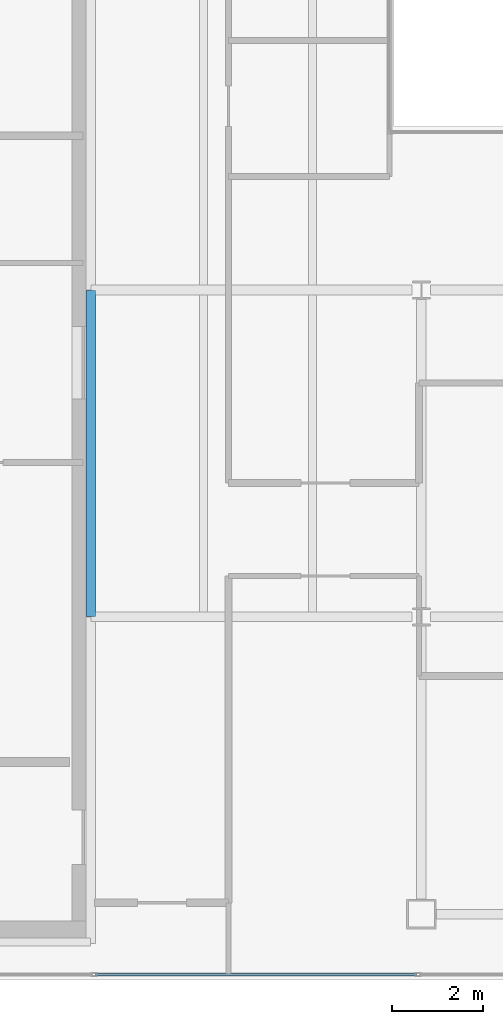
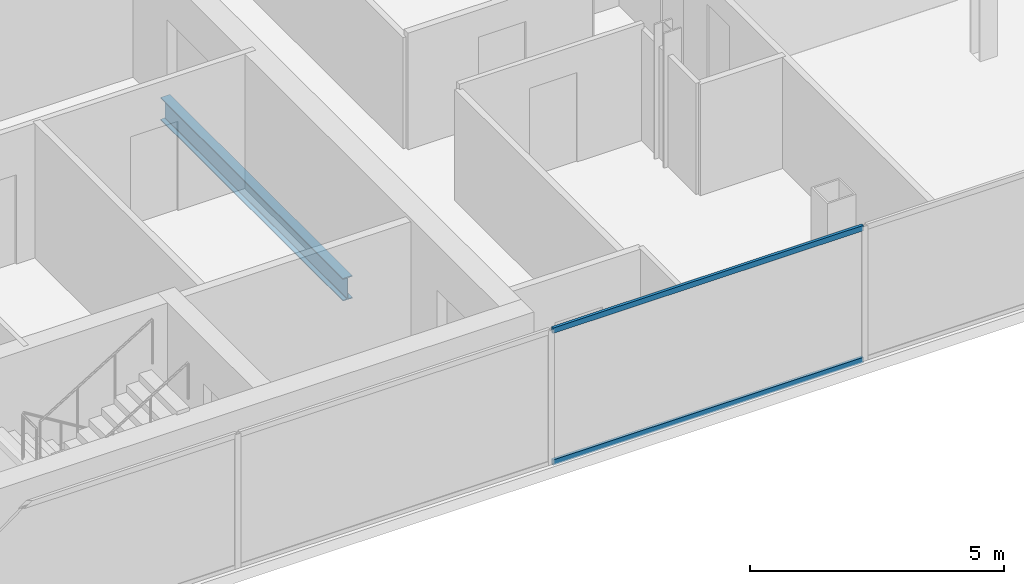
# One storey, part 4 of 23: 2 members, 1 beam, 1 element without a shape of its own.
"""IFC4 building model written with IfcOpenShell, lengths in metres."""

from ifc_helpers import new_model, si_unit, direction, frame, origin, origin_2d, place, context, subcontext, project, spatial, hollow_rectangle, i_section, extrude, material, material_profile, profile_set, type_object, element, aggregate, save


model = new_model("IFC4")

# Units and contexts
model_context = context("Model", 3, precision=1e-05, world=origin(), true_north=direction((0.0, 1.0)))
body_context = subcontext(model_context, "Body", "Model", "MODEL_VIEW")
ifc_project = project(units=[si_unit("LENGTHUNIT", "METRE"), si_unit("AREAUNIT", "SQUARE_METRE"), si_unit("VOLUMEUNIT", "CUBIC_METRE"), si_unit("PLANEANGLEUNIT", "RADIAN"), si_unit("MASSUNIT", "GRAM", prefix="KILO")], contexts=[model_context])

# Site, building, storey
site_placement = place(None, origin())
site = spatial("IfcSite", under=ifc_project, at=site_placement, CompositionType="ELEMENT")
building_placement = place(site_placement, origin())
building = spatial("IfcBuilding", under=site, at=building_placement, Name="Cobrela Telecom Tower", CompositionType="ELEMENT")
storey_placement = place(building_placement, frame((0.0, 0.0, 251.64990234375)))
storey = spatial("IfcBuildingStorey", under=building, at=storey_placement, Name="L65", CompositionType="ELEMENT", Elevation=251.64990234375)

# Beam
ifc_material_1 = material(Name="Steel ASTM A992 Grade 50", Category="steel")
ifc_material_profile_1 = material_profile(ifc_material_1, i_section(OverallWidth=0.212890625, OverallDepth=0.549072265625, WebThickness=0.0146484375, FlangeThickness=0.023681640625, FilletRadius=0.013916015625, at=origin_2d()), Name="W21X93")
ifc_profile_set_1 = profile_set([ifc_material_profile_1], Name="Steel ASTM A992 Grade 50")
beam_type = type_object("IfcBeamType", Name="BM-GIRD-08", PredefinedType="USERDEFINED", material=ifc_profile_set_1)
beam_placement = place(storey_placement, frame((14.320068359375, 14.405029296875, -0.534423828125), z_axis=(0.0, 1.0, 0.0), x_axis=(-1.0, 0.0, 0.0)))
element("IfcBeam", 1, at=beam_placement, inside=storey, type_object=beam_type, Name="L65 Primary Girder Y22", ObjectType="GIRDER", PredefinedType="USERDEFINED", context=body_context, shape_type="SweptSolid", body=[
    extrude(i_section(OverallWidth=0.212890625, OverallDepth=0.549072265625, WebThickness=0.0146484375, FlangeThickness=0.023681640625, FilletRadius=0.013916015625, at=origin_2d()), origin(), (0.0, 0.0, 1.0), 7.18994140625),
])

# Curtain wall, members
ifc_material_2 = material(Name="Anodized Bronze Aluminium 6063-T6", Category="aluminium")
curtain_wall_type = type_object("IfcCurtainWallType", Name="CW-SYS-OFF-HI", PredefinedType="USERDEFINED", material=ifc_material_2)
curtain_wall_placement = place(storey_placement, origin())
curtain_wall = element("IfcCurtainWall", 2, at=curtain_wall_placement, inside=storey, type_object=curtain_wall_type, Name="L65 Unitised Bronze Curtain Wall 15", ObjectType="UNITISED CURTAIN WALL", PredefinedType="USERDEFINED")
ifc_material_profile_2 = material_profile(ifc_material_2, hollow_rectangle(XDim=0.06494140625, YDim=0.1298828125, WallThickness=0.00390625, at=origin_2d()), Name="ALU 65x130x4")
ifc_profile_set_2 = profile_set([ifc_material_profile_2], Name="Anodized Bronze Aluminium 6063-T6")
member_type = type_object("IfcMemberType", Name="CW-SYS-OFF-HI-TRN", PredefinedType="USERDEFINED", material=ifc_profile_set_2)
member_1_placement = place(storey_placement, frame((21.489990234375, 6.52001953125, 0.03271484375), z_axis=(-1.0, 0.0, 0.0), x_axis=(0.0, -1.0, 0.0)))
member_1 = element("IfcMember", 3, at=member_1_placement, type_object=member_type, Name="CW-OFF-HI transom 4.1", ObjectType="TRANSOM", PredefinedType="USERDEFINED", context=body_context, shape_type="SweptSolid", body=[
    extrude(hollow_rectangle(XDim=0.06494140625, YDim=0.1298828125, WallThickness=0.00390625, at=origin_2d()), origin(), (0.0, 0.0, 1.0), 7.06494140625),
])
member_2_placement = place(storey_placement, frame((21.489990234375, 6.52001953125, 3.20751953125), z_axis=(-1.0, 0.0, 0.0), x_axis=(0.0, -1.0, 0.0)))
member_2 = element("IfcMember", 4, at=member_2_placement, type_object=member_type, Name="CW-OFF-HI transom 4.2", ObjectType="TRANSOM", PredefinedType="USERDEFINED", context=body_context, shape_type="SweptSolid", body=[
    extrude(hollow_rectangle(XDim=0.06494140625, YDim=0.1298828125, WallThickness=0.00390625, at=origin_2d()), origin(), (0.0, 0.0, 1.0), 7.06494140625),
])
aggregate(curtain_wall, [member_1, member_2])

save(model, "model.ifc")
